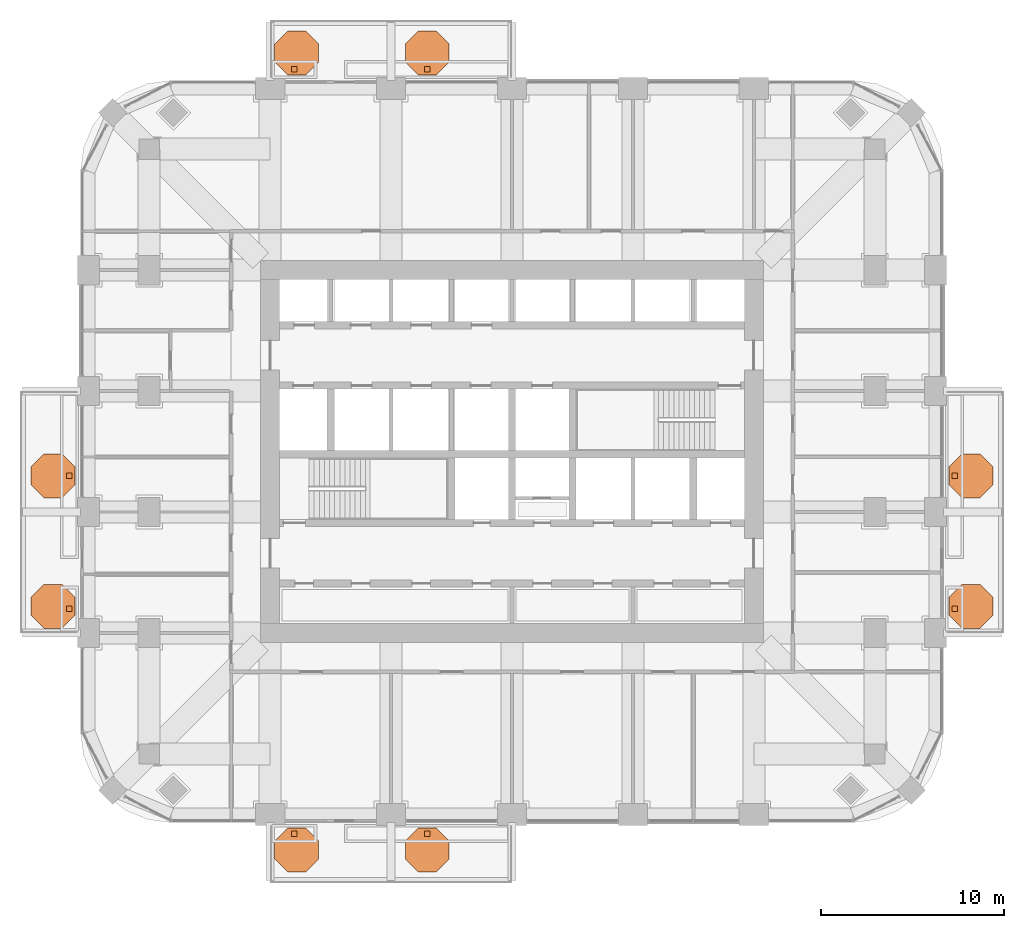
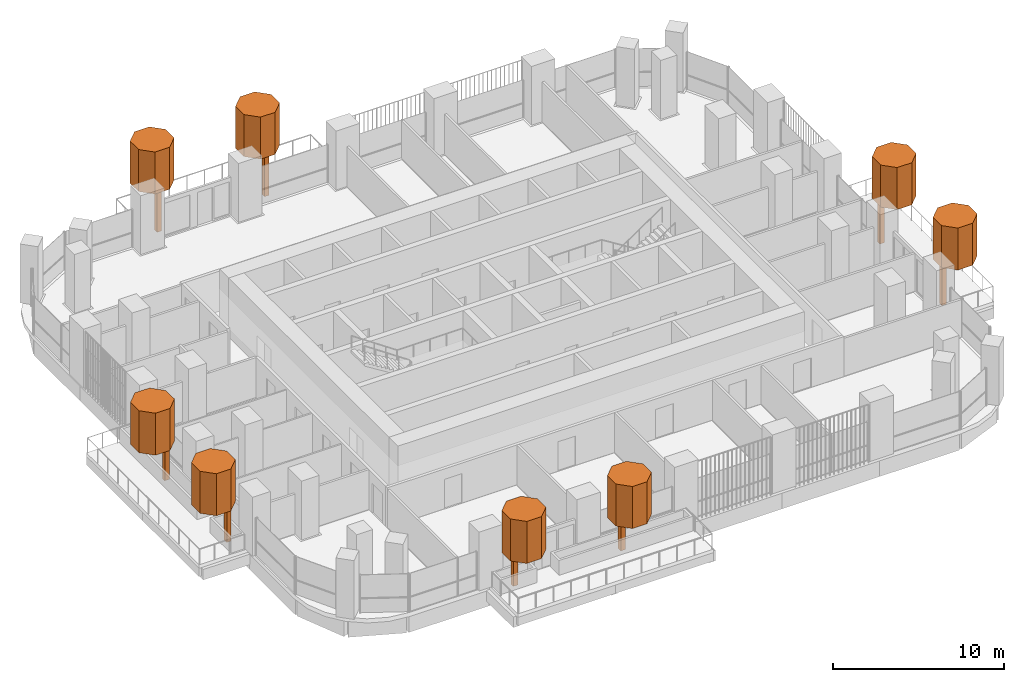
# One storey, part 20 of 20: 16 geographic elements.
"""IFC4 building model written with IfcOpenShell, lengths in metres."""

from ifc_helpers import new_model, si_unit, direction, frame, origin, origin_2d, place, context, subcontext, project, spatial, polyline, rectangle, outline, extrude, material, type_object, element, save


model = new_model("IFC4")

# Units and contexts
model_context = context("Model", 3, precision=1e-05, world=origin(), true_north=direction((0.0, 1.0)))
body_context = subcontext(model_context, "Body", "Model", "MODEL_VIEW")
ifc_project = project(units=[si_unit("LENGTHUNIT", "METRE"), si_unit("AREAUNIT", "SQUARE_METRE"), si_unit("VOLUMEUNIT", "CUBIC_METRE"), si_unit("PLANEANGLEUNIT", "RADIAN"), si_unit("MASSUNIT", "GRAM", prefix="KILO")], contexts=[model_context])

# Site, building, storey
site_placement = place(None, origin())
site = spatial("IfcSite", under=ifc_project, at=site_placement, CompositionType="ELEMENT")
building_placement = place(site_placement, origin())
building = spatial("IfcBuilding", under=site, at=building_placement, Name="Cobogo Forest Laboratory Tower", CompositionType="ELEMENT")
storey_placement = place(building_placement, frame((0.0, 0.0, 185.10009765625)))
storey = spatial("IfcBuildingStorey", under=building, at=storey_placement, Name="L42", CompositionType="ELEMENT", Elevation=185.10009765625)

# Geographic elements
ifc_material = material(Name="Planting", Category="plant")
geographic_element_type_1 = type_object("IfcGeographicElementType", Name="Tree trunk 300", PredefinedType="USERDEFINED", material=ifc_material)
for number, where, z_axis, x_axis, name in (
    (1, (14.52490234375, 2.25, 0.0), (0.0, 0.0, 1.0), (1.0, 0.0, 0.0), "Tree trunk BAL-S1-PL1 L42"),
    (2, (21.77490234375, 2.25, 0.0), (0.0, 0.0, 1.0), (1.0, 0.0, 0.0), "Tree trunk BAL-S1-PL2 L42"),
    (3, (50.550048828125, 14.52490234375, 0.0), (0.0, 0.0, 1.0), (1.0, 0.0, 0.0), "Tree trunk BAL-E1-PL1 L42"),
    (4, (50.550048828125, 21.77490234375, 0.0), (0.0, 0.0, 1.0), (1.0, 0.0, 0.0), "Tree trunk BAL-E1-PL2 L42"),
    (5, (14.52490234375, 43.949951171875, 0.0), (0.0, 0.0, 1.0), (1.0, 0.0, 0.0), "Tree trunk BAL-N1-PL1 L42"),
    (6, (21.77490234375, 43.949951171875, 0.0), (0.0, 0.0, 1.0), (1.0, 0.0, 0.0), "Tree trunk BAL-N1-PL2 L42"),
    (7, (2.25, 14.52490234375, 0.0), (0.0, 0.0, 1.0), (1.0, 0.0, 0.0), "Tree trunk BAL-W1-PL1 L42"),
    (8, (2.25, 21.77490234375, 0.0), (0.0, 0.0, 1.0), (1.0, 0.0, 0.0), "Tree trunk BAL-W1-PL2 L42"),
):
    element("IfcGeographicElement", number, at=place(storey_placement, frame(where, z_axis=z_axis, x_axis=x_axis)), inside=storey, type_object=geographic_element_type_1, Name=name, ObjectType="TREE TRUNK", PredefinedType="USERDEFINED", context=body_context, shape_type="SweptSolid", body=[
        extrude(rectangle(XDim=0.300048828125, YDim=0.300048828125, at=origin_2d()), origin(), (0.0, 0.0, 1.0), 2.89990234375),
    ])
geographic_element_type_2 = type_object("IfcGeographicElementType", Name="Tree, holm oak 5 m", PredefinedType="USERDEFINED", material=ifc_material)
geographic_element_1_placement = place(storey_placement, frame((0.0, 0.0, 2.89990234375)))
element("IfcGeographicElement", 9, at=geographic_element_1_placement, inside=storey, type_object=geographic_element_type_2, Name="Holm tree BAL-S1-PL1 L42", ObjectType="TREE", PredefinedType="USERDEFINED", context=body_context, shape_type="SweptSolid", body=[
    extrude(outline(polyline([(15.85009765625, 0.85302734375), (15.85009765625, 1.84716796875), (15.14697265625, 2.550048828125), (14.15283203125, 2.550048828125), (13.449951171875, 1.84716796875), (13.449951171875, 0.85302734375), (14.15283203125, 0.14990234375), (15.14697265625, 0.14990234375), (15.85009765625, 0.85302734375)])), origin(), (0.0, 0.0, 1.0), 3.0),
])
geographic_element_2_placement = place(storey_placement, frame((0.0, 0.0, 2.89990234375)))
element("IfcGeographicElement", 10, at=geographic_element_2_placement, inside=storey, type_object=geographic_element_type_2, Name="Holm tree BAL-S1-PL2 L42", ObjectType="TREE", PredefinedType="USERDEFINED", context=body_context, shape_type="SweptSolid", body=[
    extrude(outline(polyline([(22.97509765625, 0.85302734375), (22.97509765625, 1.84716796875), (22.27197265625, 2.550048828125), (21.27783203125, 2.550048828125), (20.574951171875, 1.84716796875), (20.574951171875, 0.85302734375), (21.27783203125, 0.14990234375), (22.27197265625, 0.14990234375), (22.97509765625, 0.85302734375)])), origin(), (0.0, 0.0, 1.0), 3.0),
])
geographic_element_3_placement = place(storey_placement, frame((0.0, 0.0, 2.89990234375)))
element("IfcGeographicElement", 11, at=geographic_element_3_placement, inside=storey, type_object=geographic_element_type_2, Name="Holm tree BAL-E1-PL1 L42", ObjectType="TREE", PredefinedType="USERDEFINED", context=body_context, shape_type="SweptSolid", body=[
    extrude(outline(polyline([(52.64990234375, 14.15283203125), (52.64990234375, 15.14697265625), (51.947021484375, 15.85009765625), (50.952880859375, 15.85009765625), (50.25, 15.14697265625), (50.25, 14.15283203125), (50.952880859375, 13.449951171875), (51.947021484375, 13.449951171875), (52.64990234375, 14.15283203125)])), origin(), (0.0, 0.0, 1.0), 3.0),
])
geographic_element_4_placement = place(storey_placement, frame((0.0, 0.0, 2.89990234375)))
element("IfcGeographicElement", 12, at=geographic_element_4_placement, inside=storey, type_object=geographic_element_type_2, Name="Holm tree BAL-E1-PL2 L42", ObjectType="TREE", PredefinedType="USERDEFINED", context=body_context, shape_type="SweptSolid", body=[
    extrude(outline(polyline([(52.64990234375, 21.27783203125), (52.64990234375, 22.27197265625), (51.947021484375, 22.97509765625), (50.952880859375, 22.97509765625), (50.25, 22.27197265625), (50.25, 21.27783203125), (50.952880859375, 20.574951171875), (51.947021484375, 20.574951171875), (52.64990234375, 21.27783203125)])), origin(), (0.0, 0.0, 1.0), 3.0),
])
geographic_element_5_placement = place(storey_placement, frame((0.0, 0.0, 2.89990234375)))
element("IfcGeographicElement", 13, at=geographic_element_5_placement, inside=storey, type_object=geographic_element_type_2, Name="Holm tree BAL-N1-PL1 L42", ObjectType="TREE", PredefinedType="USERDEFINED", context=body_context, shape_type="SweptSolid", body=[
    extrude(outline(polyline([(15.85009765625, 44.35302734375), (15.85009765625, 45.34716796875), (15.14697265625, 46.050048828125), (14.15283203125, 46.050048828125), (13.449951171875, 45.34716796875), (13.449951171875, 44.35302734375), (14.15283203125, 43.64990234375), (15.14697265625, 43.64990234375), (15.85009765625, 44.35302734375)])), origin(), (0.0, 0.0, 1.0), 3.0),
])
geographic_element_6_placement = place(storey_placement, frame((0.0, 0.0, 2.89990234375)))
element("IfcGeographicElement", 14, at=geographic_element_6_placement, inside=storey, type_object=geographic_element_type_2, Name="Holm tree BAL-N1-PL2 L42", ObjectType="TREE", PredefinedType="USERDEFINED", context=body_context, shape_type="SweptSolid", body=[
    extrude(outline(polyline([(22.97509765625, 44.35302734375), (22.97509765625, 45.34716796875), (22.27197265625, 46.050048828125), (21.27783203125, 46.050048828125), (20.574951171875, 45.34716796875), (20.574951171875, 44.35302734375), (21.27783203125, 43.64990234375), (22.27197265625, 43.64990234375), (22.97509765625, 44.35302734375)])), origin(), (0.0, 0.0, 1.0), 3.0),
])
geographic_element_7_placement = place(storey_placement, frame((0.0, 0.0, 2.89990234375)))
element("IfcGeographicElement", 15, at=geographic_element_7_placement, inside=storey, type_object=geographic_element_type_2, Name="Holm tree BAL-W1-PL1 L42", ObjectType="TREE", PredefinedType="USERDEFINED", context=body_context, shape_type="SweptSolid", body=[
    extrude(outline(polyline([(2.550048828125, 14.15283203125), (2.550048828125, 15.14697265625), (1.84716796875, 15.85009765625), (0.85302734375, 15.85009765625), (0.14990234375, 15.14697265625), (0.14990234375, 14.15283203125), (0.85302734375, 13.449951171875), (1.84716796875, 13.449951171875), (2.550048828125, 14.15283203125)])), origin(), (0.0, 0.0, 1.0), 3.0),
])
geographic_element_8_placement = place(storey_placement, frame((0.0, 0.0, 2.89990234375)))
element("IfcGeographicElement", 16, at=geographic_element_8_placement, inside=storey, type_object=geographic_element_type_2, Name="Holm tree BAL-W1-PL2 L42", ObjectType="TREE", PredefinedType="USERDEFINED", context=body_context, shape_type="SweptSolid", body=[
    extrude(outline(polyline([(2.550048828125, 21.27783203125), (2.550048828125, 22.27197265625), (1.84716796875, 22.97509765625), (0.85302734375, 22.97509765625), (0.14990234375, 22.27197265625), (0.14990234375, 21.27783203125), (0.85302734375, 20.574951171875), (1.84716796875, 20.574951171875), (2.550048828125, 21.27783203125)])), origin(), (0.0, 0.0, 1.0), 3.0),
])

save(model, "model.ifc")
